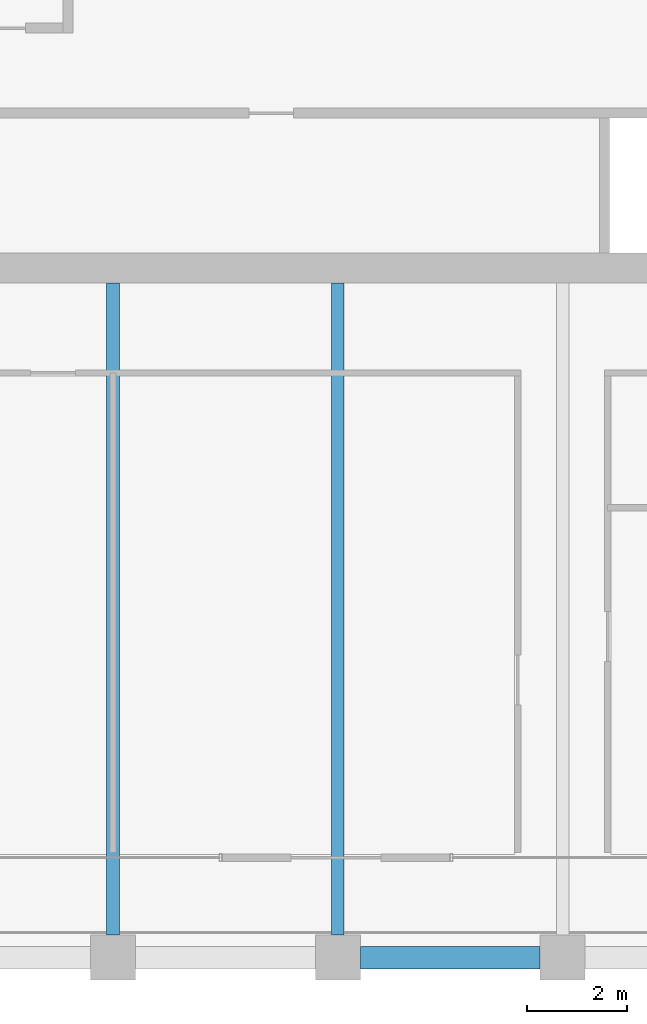
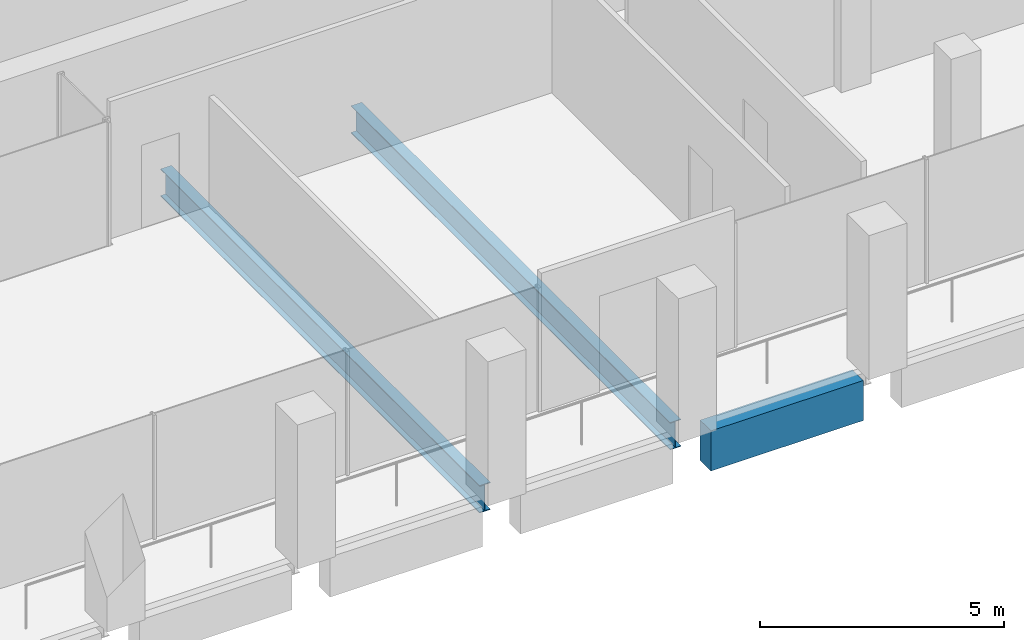
# One storey, part 8 of 40: 3 beams.
"""IFC4 building model written with IfcOpenShell, lengths in metres."""

from ifc_helpers import new_model, si_unit, direction, frame, origin, origin_2d, place, context, subcontext, project, spatial, rectangle, i_section, extrude, material, material_profile, profile_set, type_object, element, save


model = new_model("IFC4")

# Units and contexts
model_context = context("Model", 3, precision=1e-05, world=origin(), true_north=direction((0.0, 1.0)))
body_context = subcontext(model_context, "Body", "Model", "MODEL_VIEW")
ifc_project = project(units=[si_unit("LENGTHUNIT", "METRE"), si_unit("AREAUNIT", "SQUARE_METRE"), si_unit("VOLUMEUNIT", "CUBIC_METRE"), si_unit("PLANEANGLEUNIT", "RADIAN"), si_unit("MASSUNIT", "GRAM", prefix="KILO")], contexts=[model_context])

# Site, building, storey
site_placement = place(None, origin())
site = spatial("IfcSite", under=ifc_project, at=site_placement, CompositionType="ELEMENT")
building_placement = place(site_placement, origin())
building = spatial("IfcBuilding", under=site, at=building_placement, Name="Altepetl Exchange Towers", CompositionType="ELEMENT")
storey_placement = place(building_placement, frame((0.0, 0.0, 147.39990234375)))
storey = spatial("IfcBuildingStorey", under=building, at=storey_placement, Name="L36", CompositionType="ELEMENT", Elevation=147.39990234375)

# Beams
ifc_material_1 = material(Name="Steel S355", Category="steel")
ifc_material_profile_1 = material_profile(ifc_material_1, i_section(OverallWidth=0.25390625, OverallDepth=0.68408203125, WebThickness=0.012451171875, FlangeThickness=0.018798828125, at=origin_2d()), Name="W27X94")
ifc_profile_set_1 = profile_set([ifc_material_profile_1], Name="Steel S355")
beam_type_1 = type_object("IfcBeamType", Name="Floor beam W27X94", PredefinedType="BEAM", material=ifc_profile_set_1)
for number, where, z_axis, x_axis, name in (
    (1, (45.0, 27.449951171875, -0.491943359375), (0.0, 1.0, 0.0), (-1.0, 0.0, 0.0), "bm:A:L36:015"),
    (2, (49.5, 27.449951171875, -0.491943359375), (0.0, 1.0, 0.0), (-1.0, 0.0, 0.0), "bm:A:L36:016"),
):
    element("IfcBeam", number, at=place(storey_placement, frame(where, z_axis=z_axis, x_axis=x_axis)), inside=storey, type_object=beam_type_1, Name=name, PredefinedType="BEAM", context=body_context, shape_type="SweptSolid", body=[
        extrude(i_section(OverallWidth=0.25390625, OverallDepth=0.68408203125, WebThickness=0.012451171875, FlangeThickness=0.018798828125, at=origin_2d()), origin(), (0.0, 0.0, 1.0), 13.050048828125),
    ])
ifc_material_2 = material(Name="Concrete C50/60 precast with cantera blanca facing", Category="concrete")
ifc_material_profile_2 = material_profile(ifc_material_2, rectangle(XDim=0.449951171875, YDim=1.0, at=origin_2d()), Name="450 x 1000")
ifc_profile_set_2 = profile_set([ifc_material_profile_2], Name="Concrete C50/60 precast with cantera blanca facing")
beam_type_2 = type_object("IfcBeamType", Name="Spandrel beam 450x1000 cantera blanca", PredefinedType="SPANDREL", material=ifc_profile_set_2)
beam_placement = place(storey_placement, frame((49.949951171875, 27.0, -0.64990234375), z_axis=(1.0, 0.0, 0.0), x_axis=(0.0, 1.0, 0.0)))
element("IfcBeam", 3, at=beam_placement, inside=storey, type_object=beam_type_2, Name="sp:A:L36:004", PredefinedType="SPANDREL", context=body_context, shape_type="SweptSolid", body=[
    extrude(rectangle(XDim=0.449951171875, YDim=1.0, at=origin_2d()), origin(), (0.0, 0.0, 1.0), 3.60009765625),
])

save(model, "model.ifc")
